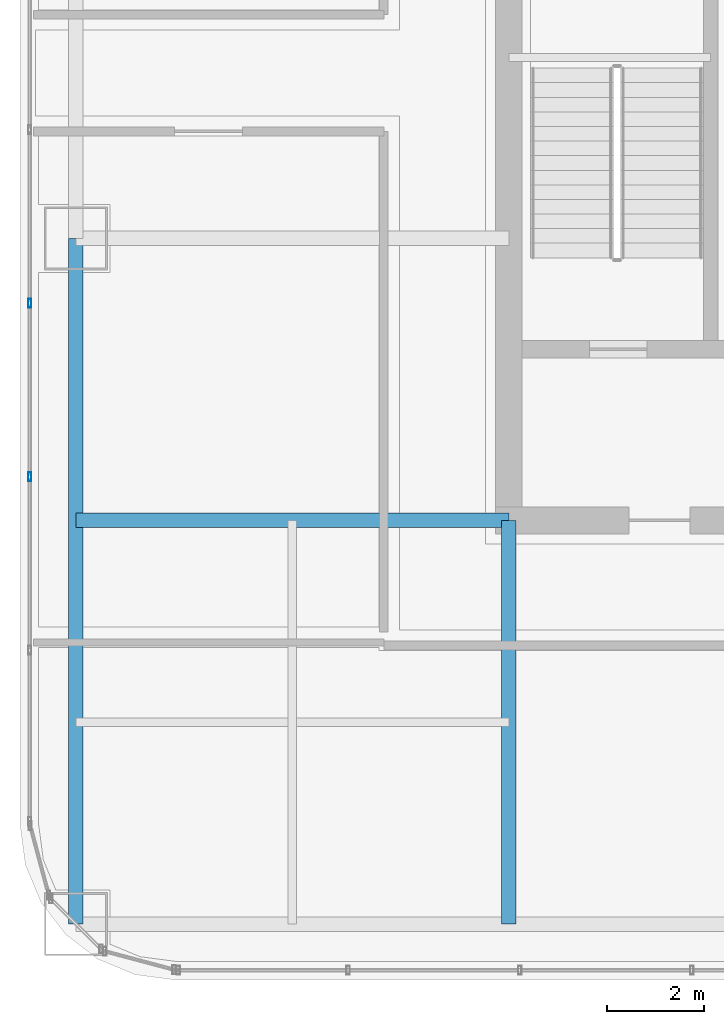
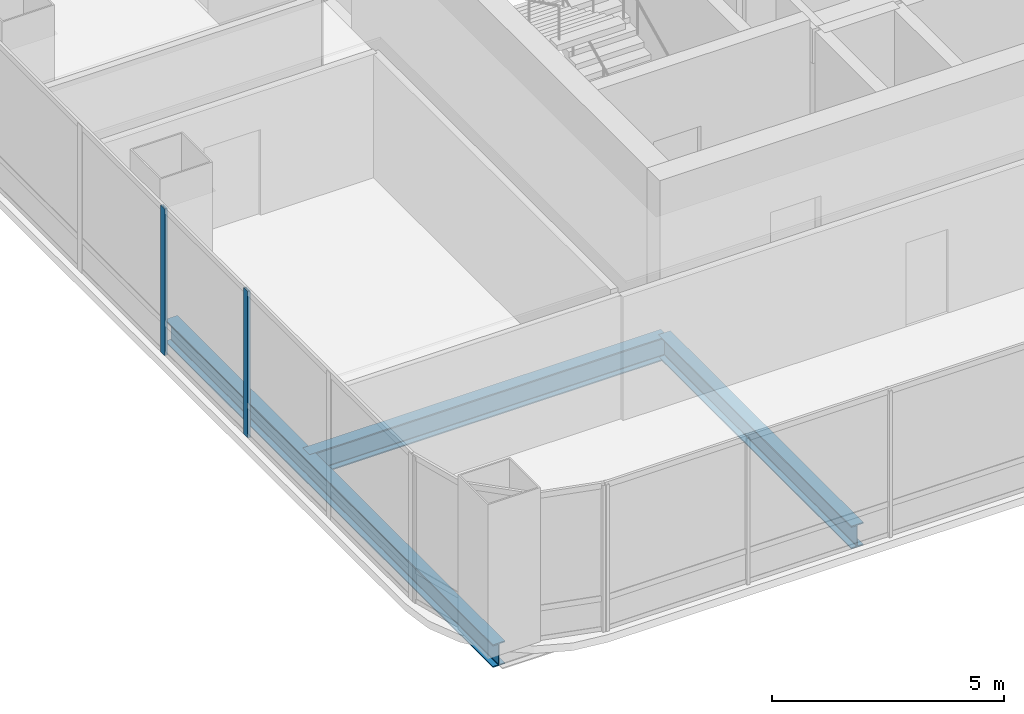
# One storey, part 4 of 39: 3 beams, 2 members, 1 element without a shape of its own.
"""IFC4 building model written with IfcOpenShell, lengths in metres."""

import ifcopenshell
import ifcopenshell.guid

model = None  # the IFC model being written
_history = None  # IfcOwnerHistory: only IFC2X3 demands one
_inside = {}  # id of a spatial element -> (the spatial element, [elements in it])
_under = {}  # id of a project, library or spatial element -> (it, [spatial elements below it])
_declared = {}  # id of a project -> (the project, [libraries it declares])
_typed = {}  # id of a type object -> (the type object, [elements of that type])
_made_of = {}  # id of a material, layer set ... -> (it, [elements and type objects made of it])


def new_model(schema):
    """Start an empty IFC model of exactly this schema.

    Asked for "IFC4X3", IfcOpenShell would pick the latest addendum, in which some entities
    have other attributes; the version numbers below select the first issue.
    IFC2X3 requires an IfcOwnerHistory on every rooted entity: one is made here for all.
    """
    global model, _history
    if schema == "IFC4X3":
        model = ifcopenshell.file(schema_version=(4, 3, 0, 0))
    else:
        model = ifcopenshell.file(schema=schema)
    _inside.clear()
    _under.clear()
    _declared.clear()
    _typed.clear()
    _made_of.clear()
    _history = None
    if model.schema == "IFC2X3":
        org = make("IfcOrganization", Name="unknown")
        user = make(
            "IfcPersonAndOrganization",
            ThePerson=make("IfcPerson", FamilyName="unknown"),
            TheOrganization=org,
        )
        app = make(
            "IfcApplication",
            ApplicationDeveloper=org,
            Version="unknown",
            ApplicationFullName="unknown",
            ApplicationIdentifier="unknown",
        )
        _history = make(
            "IfcOwnerHistory",
            OwningUser=user,
            OwningApplication=app,
            ChangeAction="ADDED",
            CreationDate=0,
        )
    return model


def make(cls, **values):
    """One entity of the class cls with the attributes given. An attribute that is None is left unset."""
    return model.create_entity(
        cls, **{name: value for name, value in values.items() if value is not None}
    )


def rooted(cls, **values):
    """An entity with a GlobalId (a new one), such as an element, a storey or a relation."""
    return make(cls, GlobalId=ifcopenshell.guid.new(), OwnerHistory=_history, **values)


def si_unit(unit_type, name, prefix=None):
    """IfcSIUnit, for example si_unit("LENGTHUNIT", "METRE", prefix="MILLI")."""
    return make("IfcSIUnit", UnitType=unit_type, Prefix=prefix, Name=name)


def assignment(units):
    """IfcUnitAssignment: the units of a project."""
    return None if units is None else make("IfcUnitAssignment", Units=units)


def point(xyz):
    """IfcCartesianPoint."""
    return None if xyz is None else make("IfcCartesianPoint", Coordinates=xyz)


def direction(xyz):
    """IfcDirection."""
    return None if xyz is None else make("IfcDirection", DirectionRatios=xyz)


def frame(location, z_axis=None, x_axis=None):
    """IfcAxis2Placement3D, a coordinate frame: its origin and axes. An axis left out is left unset."""
    return make(
        "IfcAxis2Placement3D",
        Location=point(location),
        Axis=direction(z_axis),
        RefDirection=direction(x_axis),
    )


def frame_2d(location, x_axis=None):
    """IfcAxis2Placement2D, a coordinate frame in the plane: its origin and x axis."""
    return make(
        "IfcAxis2Placement2D", Location=point(location), RefDirection=direction(x_axis)
    )


def origin():
    """The frame at (0, 0, 0) with its axes left unset."""
    return frame((0.0, 0.0, 0.0))


def origin_2d():
    """The frame at (0, 0) in the plane with its x axis left unset."""
    return frame_2d((0.0, 0.0))


def place(relative_to, where):
    """IfcLocalPlacement: puts the frame where relative to a parent placement (None: the world)."""
    return make(
        "IfcLocalPlacement", PlacementRelTo=relative_to, RelativePlacement=where
    )


def context(
    kind, dimensions, precision=None, world=None, true_north=None, identifier=None
):
    """IfcGeometricRepresentationContext, for example the 3D "Model" context."""
    return make(
        "IfcGeometricRepresentationContext",
        ContextIdentifier=identifier,
        ContextType=kind,
        CoordinateSpaceDimension=dimensions,
        Precision=precision,
        WorldCoordinateSystem=world,
        TrueNorth=true_north,
    )


def subcontext(parent, identifier, kind, view, scale=None):
    """IfcGeometricRepresentationSubContext, for example "Body" below "Model"."""
    return make(
        "IfcGeometricRepresentationSubContext",
        ContextIdentifier=identifier,
        ContextType=kind,
        ParentContext=parent,
        TargetScale=scale,
        TargetView=view,
    )


def project(units=None, contexts=None):
    """IfcProject with its units and contexts."""
    return rooted(
        "IfcProject",
        Name="project",
        RepresentationContexts=contexts,
        UnitsInContext=assignment(units),
    )


def spatial(cls, under=None, at=None, **own):
    """A site, building, storey or space (cls), placed at a placement, below another one or the project."""
    s = rooted(cls, ObjectPlacement=at, **own)
    if under is not None:
        _under.setdefault(under.id(), (under, []))[1].append(s)
    return s


def profile(cls, at=None, kind="AREA", **sizes):
    """A parametric profile (cls). Its sizes go by their IFC names, for example OverallWidth=200.0."""
    return make(cls, ProfileType=kind, Position=at, **sizes)


def hollow_rectangle(**sizes):
    """IfcRectangleHollowProfileDef."""
    return profile("IfcRectangleHollowProfileDef", **sizes)


def i_section(**sizes):
    """IfcIShapeProfileDef."""
    return profile("IfcIShapeProfileDef", **sizes)


def extrude(swept, where, along, depth):
    """IfcExtrudedAreaSolid: the profile swept, set in the frame where, extruded along a direction by depth."""
    return make(
        "IfcExtrudedAreaSolid",
        SweptArea=swept,
        Position=where,
        ExtrudedDirection=direction(along),
        Depth=depth,
    )


def shape(context_of_items, identifier, shape_type, items):
    """IfcShapeRepresentation: the items that make up one representation, for example the "Body"."""
    return make(
        "IfcShapeRepresentation",
        ContextOfItems=context_of_items,
        RepresentationIdentifier=identifier,
        RepresentationType=shape_type,
        Items=items,
    )


def material(Name=None, Category=None):
    """IfcMaterial."""
    return make("IfcMaterial", Name=Name, Category=Category)


def material_profile(
    of_material, cross_section, Name=None, Category=None, Priority=None
):
    """IfcMaterialProfile: a cross section and its material."""
    return make(
        "IfcMaterialProfile",
        Name=Name,
        Material=of_material,
        Profile=cross_section,
        Priority=Priority,
        Category=Category,
    )


def profile_set(profiles, Name=None, composite=None):
    """IfcMaterialProfileSet."""
    return make(
        "IfcMaterialProfileSet",
        Name=Name,
        MaterialProfiles=profiles,
        CompositeProfile=composite,
    )


def made_of(thing, what):
    """Note that an element or type object is made of a material, layer set ...; save() writes the relation."""
    if what is not None:
        _made_of.setdefault(what.id(), (what, []))[1].append(thing)
    return thing


def type_object(cls, material=None, **own):
    """A type object (cls), such as IfcWallType, which elements share."""
    return made_of(rooted(cls, **own), material)


def element(
    cls,
    number,
    at=None,
    inside=None,
    cuts=None,
    type_object=None,
    material=None,
    context=None,
    identifier="Body",
    shape_type=None,
    held_by="IfcProductDefinitionShape",
    body=None,
    shapes=None,
    **own,
):
    """One element of the class cls, such as IfcWall. Its Tag is "e" and its number.

    at: its placement. inside: the storey or other place that contains it. cuts: it is an
    opening in that element (IfcRelVoidsElement). A single representation is given by context,
    identifier, shape_type and body (its items); several are given by shapes. held_by: the class
    of the entity that holds the representations. save() writes the other relations.
    """
    e = rooted(cls, Tag="e%d" % number, ObjectPlacement=at, **own)
    if body is not None:
        shapes = [shape(context, identifier, shape_type, body)]
    if shapes is not None:
        e.Representation = make(held_by, Representations=shapes)
    if inside is not None:
        _inside.setdefault(inside.id(), (inside, []))[1].append(e)
    if cuts is not None:
        rooted(
            "IfcRelVoidsElement", RelatingBuildingElement=cuts, RelatedOpeningElement=e
        )
    if type_object is not None:
        _typed.setdefault(type_object.id(), (type_object, []))[1].append(e)
    return made_of(e, material)


def aggregate(whole, parts):
    """IfcRelAggregates: a whole, such as a stair, and the parts it consists of."""
    return rooted("IfcRelAggregates", RelatingObject=whole, RelatedObjects=parts)


def save(model, path):
    """Write the relations noted so far, then the file.

    IfcRelAggregates (storeys below a building ...), IfcRelContainedInSpatialStructure (elements
    in a storey), IfcRelDefinesByType, IfcRelAssociatesMaterial and IfcRelDeclares: one each for
    every whole, place, type object, material and project.
    """
    for whole, parts in _under.values():
        aggregate(whole, parts)
    for where, things in _inside.values():
        rooted(
            "IfcRelContainedInSpatialStructure",
            RelatedElements=things,
            RelatingStructure=where,
        )
    for kind, things in _typed.values():
        rooted("IfcRelDefinesByType", RelatedObjects=things, RelatingType=kind)
    for what, things in _made_of.values():
        rooted("IfcRelAssociatesMaterial", RelatedObjects=things, RelatingMaterial=what)
    for by, libraries in _declared.values():
        rooted("IfcRelDeclares", RelatingContext=by, RelatedDefinitions=libraries)
    model.write(path)


model = new_model("IFC4")

# Units and contexts
model_context = context("Model", 3, precision=1e-05, world=origin(), true_north=direction((0.0, 1.0)))
body_context = subcontext(model_context, "Body", "Model", "MODEL_VIEW")
ifc_project = project(units=[si_unit("LENGTHUNIT", "METRE"), si_unit("AREAUNIT", "SQUARE_METRE"), si_unit("VOLUMEUNIT", "CUBIC_METRE"), si_unit("PLANEANGLEUNIT", "RADIAN"), si_unit("MASSUNIT", "GRAM", prefix="KILO")], contexts=[model_context])

# Site, building, storey
site_placement = place(None, origin())
site = spatial("IfcSite", under=ifc_project, at=site_placement, CompositionType="ELEMENT")
building_placement = place(site_placement, origin())
building = spatial("IfcBuilding", under=site, at=building_placement, Name="Punatoya Terracotta Tower", CompositionType="ELEMENT")
storey_placement = place(building_placement, frame((0.0, 0.0, 275.699951171875)))
storey = spatial("IfcBuildingStorey", under=building, at=storey_placement, Name="L65", CompositionType="ELEMENT", Elevation=275.699951171875)

# Beams
ifc_material_1 = material(Name="Steel S355", Category="steel")
ifc_material_profile_1 = material_profile(ifc_material_1, i_section(OverallWidth=0.300048828125, OverallDepth=0.60009765625, WebThickness=0.015380859375, FlangeThickness=0.030029296875, FilletRadius=0.01806640625, at=origin_2d()))
ifc_profile_set_1 = profile_set([ifc_material_profile_1], Name="Steel S355")
beam_type = type_object("IfcBeamType", Name="BM-PRI-600", PredefinedType="BEAM", material=ifc_profile_set_1)
beam_1_placement = place(storey_placement, frame((-19.10009765625, -17.5, -0.5), z_axis=(0.0, 1.0, 0.0), x_axis=(-1.0, 0.0, 0.0)))
element("IfcBeam", 1, at=beam_1_placement, inside=storey, type_object=beam_type, Name="BM-L65-RG-W1", PredefinedType="BEAM", context=body_context, shape_type="SweptSolid", body=[
    extrude(i_section(OverallWidth=0.300048828125, OverallDepth=0.60009765625, WebThickness=0.015380859375, FlangeThickness=0.030029296875, FilletRadius=0.01806640625, at=origin_2d()), origin(), (0.0, 0.0, 1.0), 14.10009765625),
])
beam_2_placement = place(storey_placement, frame((-19.10009765625, -9.199951171875, -0.5), z_axis=(1.0, 0.0, 0.0), x_axis=(0.0, 1.0, 0.0)))
element("IfcBeam", 2, at=beam_2_placement, inside=storey, type_object=beam_type, Name="BM-L65-PR-WS", PredefinedType="BEAM", context=body_context, shape_type="SweptSolid", body=[
    extrude(i_section(OverallWidth=0.300048828125, OverallDepth=0.60009765625, WebThickness=0.015380859375, FlangeThickness=0.030029296875, FilletRadius=0.01806640625, at=origin_2d()), origin(), (0.0, 0.0, 1.0), 8.900146484375),
])
beam_3_placement = place(storey_placement, frame((-10.199951171875, -17.5, -0.5), z_axis=(0.0, 1.0, 0.0), x_axis=(-1.0, 0.0, 0.0)))
element("IfcBeam", 3, at=beam_3_placement, inside=storey, type_object=beam_type, Name="BM-L65-PR-S1", PredefinedType="BEAM", context=body_context, shape_type="SweptSolid", body=[
    extrude(i_section(OverallWidth=0.300048828125, OverallDepth=0.60009765625, WebThickness=0.015380859375, FlangeThickness=0.030029296875, FilletRadius=0.01806640625, at=origin_2d()), origin(), (0.0, 0.0, 1.0), 8.300048828125),
])

# Curtain wall, members
ifc_material_2 = material(Name="Aluminium 6063-T6 + Double Low-E Glass", Category="aluminium")
curtain_wall_type = type_object("IfcCurtainWallType", Name="CW-M3", PredefinedType="NOTDEFINED", material=ifc_material_2)
curtain_wall_placement = place(storey_placement, origin())
curtain_wall = element("IfcCurtainWall", 4, at=curtain_wall_placement, inside=storey, type_object=curtain_wall_type, Name="L65 Curtain Wall CW-L65-W13-1", PredefinedType="NOTDEFINED")
ifc_material_3 = material(Name="Aluminium 6063-T6", Category="aluminium")
ifc_material_profile_2 = material_profile(ifc_material_3, hollow_rectangle(XDim=0.070068359375, YDim=0.179931640625, WallThickness=0.00390625, at=origin_2d()))
ifc_profile_set_2 = profile_set([ifc_material_profile_2], Name="Aluminium 6063-T6")
member_type = type_object("IfcMemberType", Name="CW-MUL-M3", PredefinedType="MULLION", material=ifc_profile_set_2)
member_1_placement = place(storey_placement, frame((-20.050048828125, -4.73486328125, 0.0), z_axis=(0.0, 0.0, 1.0), x_axis=(1.0, 0.0, 0.0)))
member_1 = element("IfcMember", 5, at=member_1_placement, type_object=member_type, Name="CW-L65-W13-1 Mullion 07", PredefinedType="MULLION", context=body_context, shape_type="SweptSolid", body=[
    extrude(hollow_rectangle(XDim=0.070068359375, YDim=0.179931640625, WallThickness=0.00390625, at=origin_2d()), origin(), (0.0, 0.0, 1.0), 3.85009765625),
])
member_2_placement = place(storey_placement, frame((-20.050048828125, -8.302001953125, 0.0), z_axis=(0.0, 0.0, 1.0), x_axis=(1.0, 0.0, 0.0)))
member_2 = element("IfcMember", 6, at=member_2_placement, type_object=member_type, Name="CW-L65-W13-1 Mullion 08", PredefinedType="MULLION", context=body_context, shape_type="SweptSolid", body=[
    extrude(hollow_rectangle(XDim=0.070068359375, YDim=0.179931640625, WallThickness=0.00390625, at=origin_2d()), origin(), (0.0, 0.0, 1.0), 3.85009765625),
])
aggregate(curtain_wall, [member_1, member_2])

save(model, "model.ifc")
